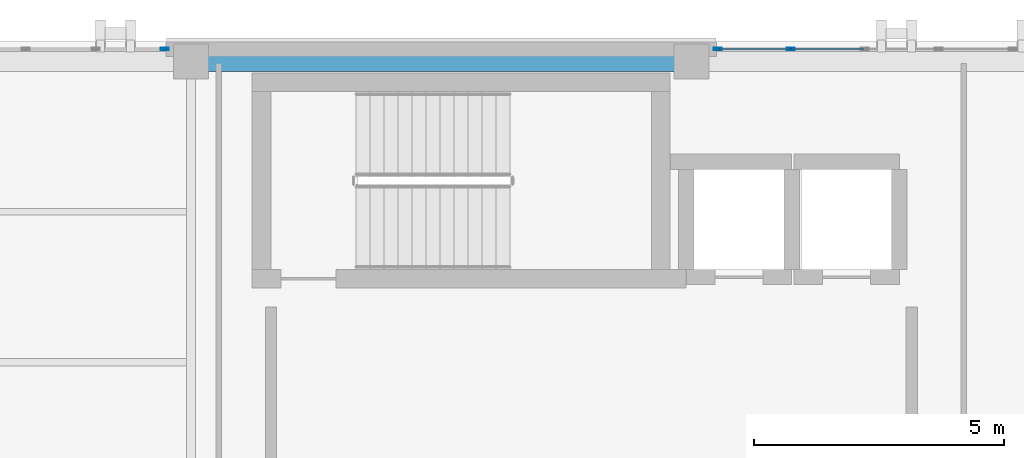
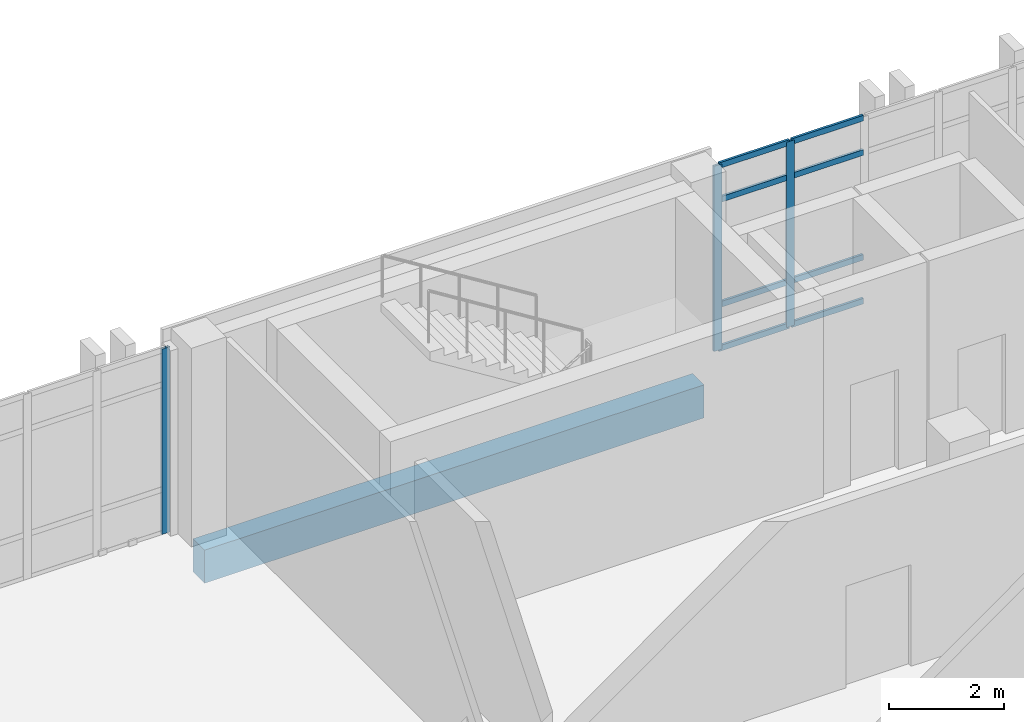
# One storey, part 90 of 165: 11 members, 1 beam, 2 elements without a shape of their own.
"""IFC4 building model written with IfcOpenShell, lengths in metres."""

from ifc_helpers import new_model, si_unit, direction, frame, origin, origin_2d, place, context, subcontext, project, spatial, rectangle, hollow_rectangle, extrude, material, layer, layer_set, material_profile, profile_set, type_object, element, aggregate, save


model = new_model("IFC4")

# Units and contexts
model_context = context("Model", 3, precision=1e-05, world=origin(), true_north=direction((0.0, 1.0)))
body_context = subcontext(model_context, "Body", "Model", "MODEL_VIEW")
ifc_project = project(units=[si_unit("LENGTHUNIT", "METRE"), si_unit("AREAUNIT", "SQUARE_METRE"), si_unit("VOLUMEUNIT", "CUBIC_METRE"), si_unit("PLANEANGLEUNIT", "RADIAN"), si_unit("MASSUNIT", "GRAM", prefix="KILO")], contexts=[model_context])

# Site, building, storey
site_placement = place(None, origin())
site = spatial("IfcSite", under=ifc_project, at=site_placement, CompositionType="ELEMENT")
building_placement = place(site_placement, origin())
building = spatial("IfcBuilding", under=site, at=building_placement, Name="Qalavern Law Courts", CompositionType="ELEMENT")
storey_placement = place(building_placement, frame((0.0, 0.0, 14.39990234375)))
storey = spatial("IfcBuildingStorey", under=building, at=storey_placement, Name="L03", CompositionType="ELEMENT", Elevation=14.39990234375)

# Curtain wall, members
ifc_material_1 = material(Name="Anodised aluminium and insulated glazing", Category="aluminium")
ifc_layer = layer(ifc_material_1, 0.166015625)
ifc_layer_set = layer_set([ifc_layer], Name="Anodised aluminium and insulated glazing")
curtain_wall_type = type_object("IfcCurtainWallType", Name="ENV-CW-LIB", PredefinedType="USERDEFINED", material=ifc_layer_set)
curtain_wall_1_placement = place(storey_placement, origin())
curtain_wall_1 = element("IfcCurtainWall", 1, at=curtain_wall_1_placement, inside=storey, type_object=curtain_wall_type, Name="V5 unitised curtain wall L03 north 5", ObjectType="UNITISED CURTAIN WALL", PredefinedType="USERDEFINED")
ifc_material_2 = material(Name="Anodised aluminium", Category="aluminium")
ifc_material_profile_1 = material_profile(ifc_material_2, hollow_rectangle(XDim=0.048095703125, YDim=0.159912109375, WallThickness=0.00390625, at=origin_2d()), Name="ALU MULLION 48x160")
ifc_profile_set_1 = profile_set([ifc_material_profile_1], Name="Anodised aluminium")
member_type_1 = type_object("IfcMemberType", Name="ENV-CWM-48x160", PredefinedType="MULLION", material=ifc_profile_set_1)
member_1_placement = place(storey_placement, frame((30.3798828125, 112.8525390625, 0.0), z_axis=(0.0, 0.0, 1.0), x_axis=(0.0, -1.0, 0.0)))
member_1 = element("IfcMember", 2, at=member_1_placement, type_object=member_type_1, Name="CW-05 mullion 5", PredefinedType="MULLION", context=body_context, shape_type="SweptSolid", body=[
    extrude(hollow_rectangle(XDim=0.048095703125, YDim=0.159912109375, WallThickness=0.00390625, at=origin_2d()), origin(), (0.0, 0.0, 1.0), 3.920166015625),
])
member_2_placement = place(storey_placement, frame((28.924072265625, 112.8525390625, 0.0), z_axis=(0.0, 0.0, 1.0), x_axis=(0.0, -1.0, 0.0)))
member_2 = element("IfcMember", 3, at=member_2_placement, type_object=member_type_1, Name="CW-05 mullion 6", PredefinedType="MULLION", context=body_context, shape_type="SweptSolid", body=[
    extrude(hollow_rectangle(XDim=0.048095703125, YDim=0.159912109375, WallThickness=0.00390625, at=origin_2d()), origin(), (0.0, 0.0, 1.0), 3.920166015625),
])

# Curtain wall, member
curtain_wall_2_placement = place(storey_placement, origin())
curtain_wall_2 = element("IfcCurtainWall", 4, at=curtain_wall_2_placement, inside=storey, type_object=curtain_wall_type, Name="V5 unitised curtain wall L03 north 6", ObjectType="UNITISED CURTAIN WALL", PredefinedType="USERDEFINED")
member_3_placement = place(storey_placement, frame((17.8759765625, 112.8525390625, 0.0), z_axis=(0.0, 0.0, 1.0), x_axis=(0.0, -1.0, 0.0)))
member_3 = element("IfcMember", 5, at=member_3_placement, type_object=member_type_1, Name="CW-05 mullion 1", PredefinedType="MULLION", context=body_context, shape_type="SweptSolid", body=[
    extrude(hollow_rectangle(XDim=0.048095703125, YDim=0.159912109375, WallThickness=0.00390625, at=origin_2d()), origin(), (0.0, 0.0, 1.0), 3.920166015625),
])
aggregate(curtain_wall_2, [member_3])

# Member
ifc_material_profile_2 = material_profile(ifc_material_2, hollow_rectangle(XDim=0.048095703125, YDim=0.1201171875, WallThickness=0.00390625, at=origin_2d()), Name="ALU TRANSOM 48x120")
ifc_profile_set_2 = profile_set([ifc_material_profile_2], Name="Anodised aluminium")
member_type_2 = type_object("IfcMemberType", Name="ENV-CWT-48x120", PredefinedType="USERDEFINED", material=ifc_profile_set_2)
member_4_placement = place(storey_placement, frame((31.8359375, 112.8525390625, 0.024169921875), z_axis=(-1.0, 0.0, 0.0), x_axis=(0.0, -1.0, 0.0)))
member_4 = element("IfcMember", 6, at=member_4_placement, type_object=member_type_2, Name="CW-05 transom 4.1", ObjectType="TRANSOM", PredefinedType="USERDEFINED", context=body_context, shape_type="SweptSolid", body=[
    extrude(hollow_rectangle(XDim=0.048095703125, YDim=0.1201171875, WallThickness=0.00390625, at=origin_2d()), origin(), (0.0, 0.0, 1.0), 1.431884765625),
])

member_5_placement = place(storey_placement, frame((31.8359375, 112.8525390625, 0.9501953125), z_axis=(-1.0, 0.0, 0.0), x_axis=(0.0, -1.0, 0.0)))
member_5 = element("IfcMember", 7, at=member_5_placement, type_object=member_type_2, Name="CW-05 transom 4.2", ObjectType="TRANSOM", PredefinedType="USERDEFINED", context=body_context, shape_type="SweptSolid", body=[
    extrude(hollow_rectangle(XDim=0.048095703125, YDim=0.1201171875, WallThickness=0.00390625, at=origin_2d()), origin(), (0.0, 0.0, 1.0), 1.431884765625),
])

member_6_placement = place(storey_placement, frame((31.8359375, 112.8525390625, 3.170166015625), z_axis=(-1.0, 0.0, 0.0), x_axis=(0.0, -1.0, 0.0)))
member_6 = element("IfcMember", 8, at=member_6_placement, type_object=member_type_2, Name="CW-05 transom 4.3", ObjectType="TRANSOM", PredefinedType="USERDEFINED", context=body_context, shape_type="SweptSolid", body=[
    extrude(hollow_rectangle(XDim=0.048095703125, YDim=0.1201171875, WallThickness=0.00390625, at=origin_2d()), origin(), (0.0, 0.0, 1.0), 1.431884765625),
])

member_7_placement = place(storey_placement, frame((31.8359375, 112.8525390625, 3.89599609375), z_axis=(-1.0, 0.0, 0.0), x_axis=(0.0, -1.0, 0.0)))
member_7 = element("IfcMember", 9, at=member_7_placement, type_object=member_type_2, Name="CW-05 transom 4.4", ObjectType="TRANSOM", PredefinedType="USERDEFINED", context=body_context, shape_type="SweptSolid", body=[
    extrude(hollow_rectangle(XDim=0.048095703125, YDim=0.1201171875, WallThickness=0.00390625, at=origin_2d()), origin(), (0.0, 0.0, 1.0), 1.431884765625),
])

member_8_placement = place(storey_placement, frame((30.35595703125, 112.8525390625, 0.024169921875), z_axis=(-1.0, 0.0, 0.0), x_axis=(0.0, -1.0, 0.0)))
member_8 = element("IfcMember", 10, at=member_8_placement, type_object=member_type_2, Name="CW-05 transom 5.1", ObjectType="TRANSOM", PredefinedType="USERDEFINED", context=body_context, shape_type="SweptSolid", body=[
    extrude(hollow_rectangle(XDim=0.048095703125, YDim=0.1201171875, WallThickness=0.00390625, at=origin_2d()), origin(), (0.0, 0.0, 1.0), 1.407958984375),
])

member_9_placement = place(storey_placement, frame((30.35595703125, 112.8525390625, 0.9501953125), z_axis=(-1.0, 0.0, 0.0), x_axis=(0.0, -1.0, 0.0)))
member_9 = element("IfcMember", 11, at=member_9_placement, type_object=member_type_2, Name="CW-05 transom 5.2", ObjectType="TRANSOM", PredefinedType="USERDEFINED", context=body_context, shape_type="SweptSolid", body=[
    extrude(hollow_rectangle(XDim=0.048095703125, YDim=0.1201171875, WallThickness=0.00390625, at=origin_2d()), origin(), (0.0, 0.0, 1.0), 1.407958984375),
])

member_10_placement = place(storey_placement, frame((30.35595703125, 112.8525390625, 3.170166015625), z_axis=(-1.0, 0.0, 0.0), x_axis=(0.0, -1.0, 0.0)))
member_10 = element("IfcMember", 12, at=member_10_placement, type_object=member_type_2, Name="CW-05 transom 5.3", ObjectType="TRANSOM", PredefinedType="USERDEFINED", context=body_context, shape_type="SweptSolid", body=[
    extrude(hollow_rectangle(XDim=0.048095703125, YDim=0.1201171875, WallThickness=0.00390625, at=origin_2d()), origin(), (0.0, 0.0, 1.0), 1.407958984375),
])

member_11_placement = place(storey_placement, frame((30.35595703125, 112.8525390625, 3.89599609375), z_axis=(-1.0, 0.0, 0.0), x_axis=(0.0, -1.0, 0.0)))
member_11 = element("IfcMember", 13, at=member_11_placement, type_object=member_type_2, Name="CW-05 transom 5.4", ObjectType="TRANSOM", PredefinedType="USERDEFINED", context=body_context, shape_type="SweptSolid", body=[
    extrude(hollow_rectangle(XDim=0.048095703125, YDim=0.1201171875, WallThickness=0.00390625, at=origin_2d()), origin(), (0.0, 0.0, 1.0), 1.407958984375),
])

aggregate(curtain_wall_1, [member_1, member_2, member_4, member_5, member_6, member_7, member_8, member_9, member_10, member_11])

# Beam
ifc_material_3 = material(Name="Concrete C40/50", Category="concrete")
ifc_material_profile_3 = material_profile(ifc_material_3, rectangle(XDim=0.39990234375, YDim=0.699951171875, at=origin_2d()), Name="RC 400x700")
ifc_profile_set_3 = profile_set([ifc_material_profile_3], Name="Concrete C40/50")
beam_type = type_object("IfcBeamType", Name="STR-SP-RC400x700", PredefinedType="SPANDREL", material=ifc_profile_set_3)
beam_placement = place(storey_placement, frame((18.39990234375, 112.60009765625, -0.635009765625), z_axis=(1.0, 0.0, 0.0), x_axis=(0.0, 1.0, 0.0)))
element("IfcBeam", 14, at=beam_placement, inside=storey, type_object=beam_type, Name="V5 X-beam 3-3 L03", PredefinedType="SPANDREL", context=body_context, shape_type="SweptSolid", body=[
    extrude(rectangle(XDim=0.39990234375, YDim=0.699951171875, at=origin_2d()), origin(), (0.0, 0.0, 1.0), 10.0),
])

save(model, "model.ifc")
